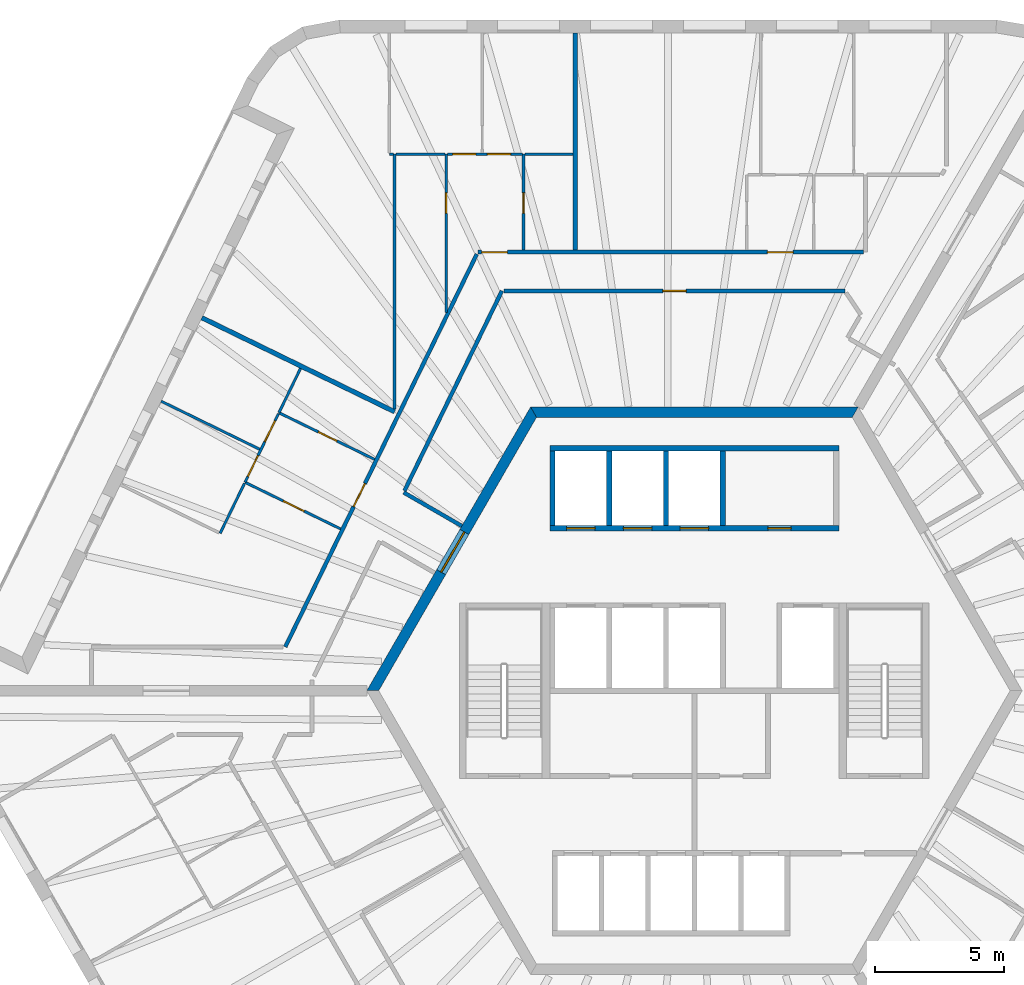
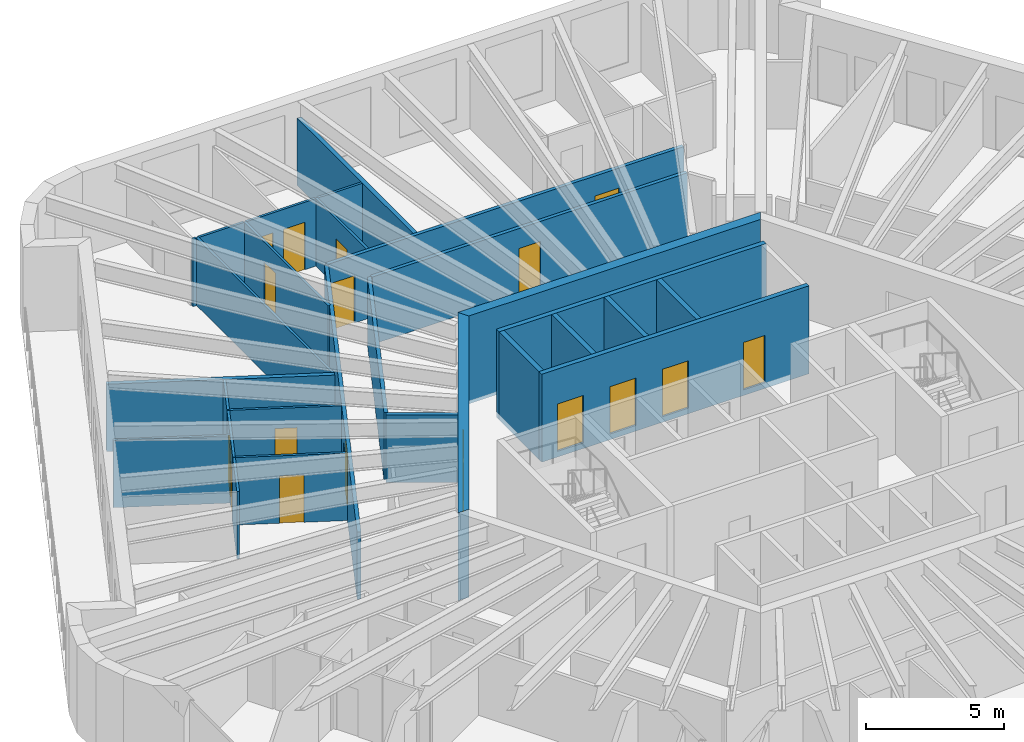
# One storey, part 8 of 12: 28 walls, 17 doors, 17 openings.
"""IFC4 building model written with IfcOpenShell, lengths in metres."""

from ifc_helpers import new_model, si_unit, direction, frame, frame_2d, origin, place, context, subcontext, project, spatial, polyline, rectangle, outline, extrude, material, layer, layer_set, type_object, element, fill, save


model = new_model("IFC4")

# Units and contexts
model_context = context("Model", 3, precision=1e-05, world=origin(), true_north=direction((0.0, 1.0)))
body_context = subcontext(model_context, "Body", "Model", "MODEL_VIEW")
ifc_project = project(units=[si_unit("LENGTHUNIT", "METRE"), si_unit("AREAUNIT", "SQUARE_METRE"), si_unit("VOLUMEUNIT", "CUBIC_METRE"), si_unit("PLANEANGLEUNIT", "RADIAN"), si_unit("MASSUNIT", "GRAM", prefix="KILO")], contexts=[model_context])

# Site, building, storey
site_placement = place(None, origin())
site = spatial("IfcSite", under=ifc_project, at=site_placement, CompositionType="ELEMENT")
building_placement = place(site_placement, origin())
building = spatial("IfcBuilding", under=site, at=building_placement, Name="Tarnside Tower", CompositionType="ELEMENT")
storey_placement = place(building_placement, frame((0.0, 0.0, 306.89990234375)))
storey = spatial("IfcBuildingStorey", under=building, at=storey_placement, Name="L74", CompositionType="ELEMENT", Elevation=306.89990234375)

# Wall
ifc_material_1 = material(Name="Gypsum board partition on steel studs", Category="steel")
ifc_layer_1 = layer(ifc_material_1, 0.10009765625)
ifc_layer_set_1 = layer_set([ifc_layer_1], Name="Bathroom wall 100")
wall_type_1 = type_object("IfcWallType", Name="Bathroom wall 100", PredefinedType="PARTITIONING", material=ifc_layer_set_1)
wall_1_placement = place(storey_placement, frame((-11.624755859375, 10.915283203125, 0.0), z_axis=(0.0, 0.0, 1.0), x_axis=(0.0, 1.0, 0.0)))
element("IfcWall", 1, at=wall_1_placement, inside=storey, type_object=wall_type_1, Name="Bathroom wall 24095", PredefinedType="PARTITIONING", context=body_context, shape_type="SweptSolid", body=[
    extrude(rectangle(XDim=9.884765625, YDim=0.10009765625, at=frame_2d((4.9423828125, 0.0))), origin(), (0.0, 0.0, 1.0), 2.98779296875),
])

# Wall, opening, door
wall_2_placement = place(storey_placement, frame((-6.624755859375, 17.074951171875, 0.0), z_axis=(0.0, 0.0, 1.0), x_axis=(0.0, 1.0, 0.0)))
wall_2 = element("IfcWall", 2, at=wall_2_placement, inside=storey, type_object=wall_type_1, Name="Bathroom wall 24098", PredefinedType="PARTITIONING", context=body_context, shape_type="SweptSolid", body=[
    extrude(rectangle(XDim=3.72509765625, YDim=0.10009765625, at=frame_2d((1.862548828125, 0.0))), origin(), (0.0, 0.0, 1.0), 2.98779296875),
])
opening_1_placement = place(wall_2_placement, frame((1.425048828125, 0.0, 0.0)))
opening_1 = element("IfcOpeningElement", 3, at=opening_1_placement, cuts=wall_2, Name="Opening D-B1", PredefinedType="OPENING", context=body_context, shape_type="SweptSolid", body=[
    extrude(rectangle(XDim=0.800048828125, YDim=2.10009765625, at=frame_2d((0.39990234375, 1.050048828125))), frame((0.0, 0.06005859375, 0.0), z_axis=(0.0, -1.0, 0.0), x_axis=(1.0, 0.0, 0.0)), (0.0, 0.0, 1.0), 0.1201171875),
])
ifc_material_2 = material(Name="Timber door leaf", Category="wood")
door_type_1 = type_object("IfcDoorType", Name="Bathroom door 800", OperationType="NOTDEFINED", PredefinedType="DOOR", material=ifc_material_2)
door_1_placement = place(opening_1_placement, origin())
door_1 = element("IfcDoor", 4, at=door_1_placement, inside=storey, type_object=door_type_1, Name="Bathroom door 24009", OperationType="SINGLE_SWING_RIGHT", OverallHeight=2.10009765625, OverallWidth=0.800048828125, PredefinedType="DOOR", context=body_context, shape_type="SweptSolid", body=[
    extrude(rectangle(XDim=0.800048828125, YDim=2.10009765625, at=frame_2d((0.39990234375, 1.050048828125))), frame((0.0, 0.02490234375, 0.0), z_axis=(0.0, -1.0, 0.0), x_axis=(1.0, 0.0, 0.0)), (0.0, 0.0, 1.0), 0.050048828125),
])
fill(opening_1, door_1)

wall_3_placement = place(storey_placement, frame((-9.624755859375, 20.800048828125, 0.0), z_axis=(0.0, 0.0, 1.0), x_axis=(0.0, -1.0, 0.0)))
wall_3 = element("IfcWall", 5, at=wall_3_placement, inside=storey, type_object=wall_type_1, Name="Bathroom wall 24101", PredefinedType="PARTITIONING", context=body_context, shape_type="SweptSolid", body=[
    extrude(rectangle(XDim=6.14501953125, YDim=0.10009765625, at=frame_2d((3.072509765625, 0.0))), origin(), (0.0, 0.0, 1.0), 2.98779296875),
])
opening_2_placement = place(wall_3_placement, frame((1.5, 0.0, 0.0)))
opening_2 = element("IfcOpeningElement", 6, at=opening_2_placement, cuts=wall_3, Name="Opening D-B1", PredefinedType="OPENING", context=body_context, shape_type="SweptSolid", body=[
    extrude(rectangle(XDim=0.800048828125, YDim=2.10009765625, at=frame_2d((0.39990234375, 1.050048828125))), frame((0.0, 0.06005859375, 0.0), z_axis=(0.0, -1.0, 0.0), x_axis=(1.0, 0.0, 0.0)), (0.0, 0.0, 1.0), 0.1201171875),
])
door_2_placement = place(opening_2_placement, origin())
door_2 = element("IfcDoor", 7, at=door_2_placement, inside=storey, type_object=door_type_1, Name="Bathroom door 24016", OperationType="SINGLE_SWING_RIGHT", OverallHeight=2.10009765625, OverallWidth=0.800048828125, PredefinedType="DOOR", context=body_context, shape_type="SweptSolid", body=[
    extrude(rectangle(XDim=0.800048828125, YDim=2.10009765625, at=frame_2d((0.39990234375, 1.050048828125))), frame((0.0, 0.02490234375, 0.0), z_axis=(0.0, -1.0, 0.0), x_axis=(1.0, 0.0, 0.0)), (0.0, 0.0, 1.0), 0.050048828125),
])
fill(opening_2, door_2)

# Walls
wall_4_placement = place(storey_placement, frame((-4.71484375, 20.800048828125, 0.0), z_axis=(0.0, 0.0, 1.0), x_axis=(-1.0, 0.0, 0.0)))
element("IfcWall", 8, at=wall_4_placement, inside=storey, type_object=wall_type_1, Name="Bathroom wall 24102", PredefinedType="PARTITIONING", context=body_context, shape_type="SweptSolid", body=[
    extrude(rectangle(XDim=1.862060546875, YDim=0.10009765625, at=frame_2d((0.93115234375, 0.0))), origin(), (0.0, 0.0, 1.0), 2.98779296875),
])
wall_5_placement = place(storey_placement, frame((-11.57470703125, 20.800048828125, 0.0), z_axis=(0.0, 0.0, 1.0), x_axis=(1.0, 0.0, 0.0)))
element("IfcWall", 9, at=wall_5_placement, inside=storey, type_object=wall_type_1, Name="Bathroom wall 24104", PredefinedType="PARTITIONING", context=body_context, shape_type="SweptSolid", body=[
    extrude(rectangle(XDim=1.89990234375, YDim=0.10009765625, at=frame_2d((0.949951171875, 0.0))), origin(), (0.0, 0.0, 1.0), 2.98779296875),
])

# Wall, opening, door
wall_6_placement = place(storey_placement, frame((-12.398681640625, 8.967529296875, 0.0), z_axis=(0.0, 0.0, 1.0), x_axis=(-0.898787215731, 0.438385151252, 0.0)))
wall_6 = element("IfcWall", 10, at=wall_6_placement, inside=storey, type_object=wall_type_1, Name="Bathroom wall 24108", PredefinedType="PARTITIONING", context=body_context, shape_type="SweptSolid", body=[
    extrude(rectangle(XDim=4.125, YDim=0.10009765625, at=frame_2d((2.0625, 0.0))), origin(), (0.0, 0.0, 1.0), 2.98779296875),
])
opening_3_placement = place(wall_6_placement, frame((1.625, 0.0, 0.0)))
opening_3 = element("IfcOpeningElement", 11, at=opening_3_placement, cuts=wall_6, Name="Opening D-B1", PredefinedType="OPENING", context=body_context, shape_type="SweptSolid", body=[
    extrude(rectangle(XDim=0.800048828125, YDim=2.10009765625, at=frame_2d((0.39990234375, 1.050048828125))), frame((0.0, 0.06005859375, 0.0), z_axis=(0.0, -1.0, 0.0), x_axis=(1.0, 0.0, 0.0)), (0.0, 0.0, 1.0), 0.1201171875),
])
door_3_placement = place(opening_3_placement, origin())
door_3 = element("IfcDoor", 12, at=door_3_placement, inside=storey, type_object=door_type_1, Name="Bathroom door 24018", OperationType="SINGLE_SWING_RIGHT", OverallHeight=2.10009765625, OverallWidth=0.800048828125, PredefinedType="DOOR", context=body_context, shape_type="SweptSolid", body=[
    extrude(rectangle(XDim=0.800048828125, YDim=2.10009765625, at=frame_2d((0.39990234375, 1.050048828125))), frame((0.0, 0.02490234375, 0.0), z_axis=(0.0, -1.0, 0.0), x_axis=(1.0, 0.0, 0.0)), (0.0, 0.0, 1.0), 0.050048828125),
])
fill(opening_3, door_3)

# Wall
wall_7_placement = place(storey_placement, frame((-15.26904296875, 12.492431640625, 0.0), z_axis=(0.0, 0.0, 1.0), x_axis=(-0.438355705964, -0.898801577128, 0.0)))
element("IfcWall", 13, at=wall_7_placement, inside=storey, type_object=wall_type_1, Name="Bathroom wall 24111", PredefinedType="PARTITIONING", context=body_context, shape_type="SweptSolid", body=[
    extrude(rectangle(XDim=1.912109375, YDim=0.10009765625, at=frame_2d((0.9560546875, 0.0))), origin(), (0.0, 0.0, 1.0), 2.98779296875),
])

# Wall, opening, door
ifc_material_3 = material(Name="Concrete C60/75", Category="concrete")
ifc_layer_2 = layer(ifc_material_3, 0.39990234375)
ifc_layer_set_2 = layer_set([ifc_layer_2], Name="Core wall Z3 400 C60/75")
wall_type_2 = type_object("IfcWallType", Name="Core wall Z3 400 C60/75", PredefinedType="SHEAR", material=ifc_layer_set_2)
wall_8_placement = place(storey_placement, frame((-6.2353515625, 10.800048828125, -0.14990234375), z_axis=(0.0, 0.0, 1.0), x_axis=(-0.499996419489, -0.866027470984, 0.0)))
wall_8 = element("IfcWall", 14, at=wall_8_placement, inside=storey, type_object=wall_type_2, Name="L74 core wall face 2", PredefinedType="SHEAR", context=body_context, shape_type="SweptSolid", body=[
    extrude(outline(polyline([(-0.115478515625, -0.199951171875), (12.586181640625, -0.199951171875), (12.355224609375, 0.199951171875), (0.115478515625, 0.199951171875), (-0.115478515625, -0.199951171875)])), origin(), (0.0, 0.0, 1.0), 3.89990234375),
])
opening_4_placement = place(wall_8_placement, frame((5.3642578125, 0.0, 0.14990234375)))
opening_4 = element("IfcOpeningElement", 15, at=opening_4_placement, cuts=wall_8, Name="Opening CD-LOB", PredefinedType="OPENING", context=body_context, shape_type="SweptSolid", body=[
    extrude(rectangle(XDim=1.800048828125, YDim=2.39990234375, at=frame_2d((0.89990234375, 1.199951171875))), frame((0.0, 0.2099609375, 0.0), z_axis=(0.0, -1.0, 0.0), x_axis=(1.0, 0.0, 0.0)), (0.0, 0.0, 1.0), 0.419921875),
])
ifc_material_4 = material(Name="Steel fire door", Category="steel")
door_type_2 = type_object("IfcDoorType", Name="Lobby double door FD30S 1800x2400", OperationType="NOTDEFINED", PredefinedType="DOOR", material=ifc_material_4)
door_4_placement = place(opening_4_placement, origin())
door_4 = element("IfcDoor", 16, at=door_4_placement, inside=storey, type_object=door_type_2, Name="L74 core door P1", OperationType="DOUBLE_DOOR_SINGLE_SWING", OverallHeight=2.39990234375, OverallWidth=1.800048828125, PredefinedType="DOOR", context=body_context, shape_type="SweptSolid", body=[
    extrude(rectangle(XDim=1.800048828125, YDim=2.39990234375, at=frame_2d((0.89990234375, 1.199951171875))), frame((0.0, 0.02490234375, 0.0), z_axis=(0.0, -1.0, 0.0), x_axis=(1.0, 0.0, 0.0)), (0.0, 0.0, 1.0), 0.050048828125),
])
fill(opening_4, door_4)

# Wall
wall_9_placement = place(storey_placement, frame((6.2353515625, 10.800048828125, -0.14990234375), z_axis=(0.0, 0.0, 1.0), x_axis=(-1.0, 0.0, 0.0)))
element("IfcWall", 17, at=wall_9_placement, inside=storey, type_object=wall_type_2, Name="L74 core wall face 1", PredefinedType="SHEAR", context=body_context, shape_type="SweptSolid", body=[
    extrude(outline(polyline([(-0.115478515625, -0.199951171875), (12.586181640625, -0.199951171875), (12.355224609375, 0.199951171875), (0.115478515625, 0.199951171875), (-0.115478515625, -0.199951171875)])), origin(), (0.0, 0.0, 1.0), 3.89990234375),
])

# Wall, openings, doors
ifc_layer_3 = layer(ifc_material_1, 0.14990234375)
ifc_layer_set_3 = layer_set([ifc_layer_3], Name="Corridor wall 150 EI 60")
wall_type_3 = type_object("IfcWallType", Name="Corridor wall 150 EI 60", PredefinedType="PARTITIONING", material=ifc_layer_set_3)
wall_10_placement = place(storey_placement, frame((6.551513671875, 17.0, 0.0), z_axis=(0.0, 0.0, 1.0), x_axis=(-1.0, 0.0, 0.0)))
wall_10 = element("IfcWall", 18, at=wall_10_placement, inside=storey, type_object=wall_type_3, Name="Corridor wall 24001", PredefinedType="PARTITIONING", context=body_context, shape_type="SweptSolid", body=[
    extrude(rectangle(XDim=14.948974609375, YDim=0.14990234375, at=frame_2d((7.474609375, 0.0))), origin(), (0.0, 0.0, 1.0), 2.98779296875),
])
opening_5_placement = place(wall_10_placement, frame((2.72509765625, 0.0, 0.0)))
opening_5 = element("IfcOpeningElement", 19, at=opening_5_placement, cuts=wall_10, Name="Opening D-E1", PredefinedType="OPENING", context=body_context, shape_type="SweptSolid", body=[
    extrude(rectangle(XDim=1.0, YDim=2.10009765625, at=frame_2d((0.5, 1.050048828125))), frame((0.0, 0.0849609375, 0.0), z_axis=(0.0, -1.0, 0.0), x_axis=(1.0, 0.0, 0.0)), (0.0, 0.0, 1.0), 0.169921875),
])
opening_6_placement = place(wall_10_placement, frame((13.79931640625, 0.0, 0.0)))
opening_6 = element("IfcOpeningElement", 20, at=opening_6_placement, cuts=wall_10, Name="Opening D-E1", PredefinedType="OPENING", context=body_context, shape_type="SweptSolid", body=[
    extrude(rectangle(XDim=1.0, YDim=2.10009765625, at=frame_2d((0.5, 1.050048828125))), frame((0.0, 0.0849609375, 0.0), z_axis=(0.0, -1.0, 0.0), x_axis=(1.0, 0.0, 0.0)), (0.0, 0.0, 1.0), 0.169921875),
])
door_type_3 = type_object("IfcDoorType", Name="Unit entrance door 1000 FD30S", OperationType="NOTDEFINED", PredefinedType="DOOR", material=ifc_material_2)
door_5_placement = place(opening_5_placement, origin())
door_5 = element("IfcDoor", 21, at=door_5_placement, inside=storey, type_object=door_type_3, Name="Unit door 24001", OperationType="SINGLE_SWING_RIGHT", OverallHeight=2.10009765625, OverallWidth=1.0, PredefinedType="DOOR", context=body_context, shape_type="SweptSolid", body=[
    extrude(rectangle(XDim=1.0, YDim=2.10009765625, at=frame_2d((0.5, 1.050048828125))), frame((0.0, 0.02490234375, 0.0), z_axis=(0.0, -1.0, 0.0), x_axis=(1.0, 0.0, 0.0)), (0.0, 0.0, 1.0), 0.050048828125),
])
fill(opening_5, door_5)
door_6_placement = place(opening_6_placement, origin())
door_6 = element("IfcDoor", 22, at=door_6_placement, inside=storey, type_object=door_type_3, Name="Unit door 24008", OperationType="SINGLE_SWING_LEFT", OverallHeight=2.10009765625, OverallWidth=1.0, PredefinedType="DOOR", context=body_context, shape_type="SweptSolid", body=[
    extrude(rectangle(XDim=1.0, YDim=2.10009765625, at=frame_2d((0.5, 1.050048828125))), frame((0.0, 0.02490234375, 0.0), z_axis=(0.0, -1.0, 0.0), x_axis=(1.0, 0.0, 0.0)), (0.0, 0.0, 1.0), 0.050048828125),
])
fill(opening_6, door_6)

# Wall, opening, door
wall_11_placement = place(storey_placement, frame((-8.43408203125, 16.925048828125, 0.0), z_axis=(0.0, 0.0, 1.0), x_axis=(-0.438371383278, -0.898793930956, 0.0)))
wall_11 = element("IfcWall", 23, at=wall_11_placement, inside=storey, type_object=wall_type_3, Name="Corridor wall 24009", PredefinedType="PARTITIONING", context=body_context, shape_type="SweptSolid", body=[
    extrude(rectangle(XDim=16.939453125, YDim=0.14990234375, at=frame_2d((8.4697265625, 0.0))), origin(), (0.0, 0.0, 1.0), 2.98779296875),
])
opening_7_placement = place(wall_11_placement, frame((9.89013671875, 0.0, 0.0)))
opening_7 = element("IfcOpeningElement", 24, at=opening_7_placement, cuts=wall_11, Name="Opening D-E1", PredefinedType="OPENING", context=body_context, shape_type="SweptSolid", body=[
    extrude(rectangle(XDim=1.0, YDim=2.10009765625, at=frame_2d((0.5, 1.050048828125))), frame((0.0, 0.0849609375, 0.0), z_axis=(0.0, -1.0, 0.0), x_axis=(1.0, 0.0, 0.0)), (0.0, 0.0, 1.0), 0.169921875),
])
door_7_placement = place(opening_7_placement, origin())
door_7 = element("IfcDoor", 25, at=door_7_placement, inside=storey, type_object=door_type_3, Name="Unit door 24017", OperationType="SINGLE_SWING_RIGHT", OverallHeight=2.10009765625, OverallWidth=1.0, PredefinedType="DOOR", context=body_context, shape_type="SweptSolid", body=[
    extrude(rectangle(XDim=1.0, YDim=2.10009765625, at=frame_2d((0.5, 1.050048828125))), frame((0.0, 0.02490234375, 0.0), z_axis=(0.0, -1.0, 0.0), x_axis=(1.0, 0.0, 0.0)), (0.0, 0.0, 1.0), 0.050048828125),
])
fill(opening_7, door_7)

# Walls
wall_12_placement = place(storey_placement, frame((-9.015625, 6.38427734375, 0.0), z_axis=(0.0, 0.0, 1.0), x_axis=(-0.866031051173, 0.499990218309, 0.0)))
element("IfcWall", 26, at=wall_12_placement, inside=storey, type_object=wall_type_3, Name="Corridor wall 24017", PredefinedType="PARTITIONING", context=body_context, shape_type="SweptSolid", body=[
    extrude(rectangle(XDim=2.6044921875, YDim=0.14990234375, at=frame_2d((1.30224609375, 0.0))), origin(), (0.0, 0.0, 1.0), 2.98779296875),
])
wall_13_placement = place(storey_placement, frame((-11.23828125, 7.754150390625, 0.0), z_axis=(0.0, 0.0, 1.0), x_axis=(0.438387352899, 0.89878614187, 0.0)))
element("IfcWall", 27, at=wall_13_placement, inside=storey, type_object=wall_type_3, Name="Corridor wall 24018", PredefinedType="PARTITIONING", context=body_context, shape_type="SweptSolid", body=[
    extrude(rectangle(XDim=8.6181640625, YDim=0.14990234375, at=frame_2d((4.30908203125, 0.0))), origin(), (0.0, 0.0, 1.0), 2.98779296875),
])

# Wall, opening, door
wall_14_placement = place(storey_placement, frame((-7.376708984375, 15.5, 0.0), z_axis=(0.0, 0.0, 1.0), x_axis=(1.0, 0.0, 0.0)))
wall_14 = element("IfcWall", 28, at=wall_14_placement, inside=storey, type_object=wall_type_3, Name="Corridor wall 24019", PredefinedType="PARTITIONING", context=body_context, shape_type="SweptSolid", body=[
    extrude(rectangle(XDim=13.205810546875, YDim=0.14990234375, at=frame_2d((6.60302734375, 0.0))), origin(), (0.0, 0.0, 1.0), 2.98779296875),
])
opening_8_placement = place(wall_14_placement, frame((6.15283203125, 0.0, 0.0)))
opening_8 = element("IfcOpeningElement", 29, at=opening_8_placement, cuts=wall_14, Name="Opening D-S1", PredefinedType="OPENING", context=body_context, shape_type="SweptSolid", body=[
    extrude(rectangle(XDim=0.89990234375, YDim=2.10009765625, at=frame_2d((0.449951171875, 1.050048828125))), frame((0.0, 0.0849609375, 0.0), z_axis=(0.0, -1.0, 0.0), x_axis=(1.0, 0.0, 0.0)), (0.0, 0.0, 1.0), 0.169921875),
])
door_type_4 = type_object("IfcDoorType", Name="Service room door 900 FD30S", OperationType="NOTDEFINED", PredefinedType="DOOR", material=ifc_material_2)
door_8_placement = place(opening_8_placement, origin())
door_8 = element("IfcDoor", 30, at=door_8_placement, inside=storey, type_object=door_type_4, Name="Service door 24063", OperationType="SINGLE_SWING_LEFT", OverallHeight=2.10009765625, OverallWidth=0.89990234375, PredefinedType="DOOR", context=body_context, shape_type="SweptSolid", body=[
    extrude(rectangle(XDim=0.89990234375, YDim=2.10009765625, at=frame_2d((0.449951171875, 1.050048828125))), frame((0.0, 0.02490234375, 0.0), z_axis=(0.0, -1.0, 0.0), x_axis=(1.0, 0.0, 0.0)), (0.0, 0.0, 1.0), 0.050048828125),
])
fill(opening_8, door_8)

# Walls
ifc_layer_4 = layer(ifc_material_1, 0.179931640625)
ifc_layer_set_4 = layer_set([ifc_layer_4], Name="Demising wall 180 EI 60")
wall_type_4 = type_object("IfcWallType", Name="Demising wall 180 EI 60", PredefinedType="PARTITIONING", material=ifc_layer_set_4)
wall_15_placement = place(storey_placement, frame((-4.624755859375, 25.5, 0.0), z_axis=(0.0, 0.0, 1.0), x_axis=(0.0, -1.0, 0.0)))
element("IfcWall", 31, at=wall_15_placement, inside=storey, type_object=wall_type_4, Name="Demising wall 24086", PredefinedType="PARTITIONING", context=body_context, shape_type="SweptSolid", body=[
    extrude(rectangle(XDim=8.425048828125, YDim=0.179931640625, at=frame_2d((4.21240234375, 0.0))), origin(), (0.0, 0.0, 1.0), 2.98779296875),
])
wall_16_placement = place(storey_placement, frame((-19.09423828125, 14.45849609375, 0.0), z_axis=(0.0, 0.0, 1.0), x_axis=(0.898789332666, -0.438380811038, 0.0)))
element("IfcWall", 32, at=wall_16_placement, inside=storey, type_object=wall_type_4, Name="Demising wall 24096", PredefinedType="PARTITIONING", context=body_context, shape_type="SweptSolid", body=[
    extrude(rectangle(XDim=8.3125, YDim=0.179931640625, at=frame_2d((4.15625, 0.0))), origin(), (0.0, 0.0, 1.0), 2.98779296875),
])

# Wall, openings, doors
ifc_material_5 = material(Name="Concrete C40/50", Category="concrete")
ifc_layer_5 = layer(ifc_material_5, 0.199951171875)
ifc_layer_set_5 = layer_set([ifc_layer_5], Name="Lift shaft wall 200 C40/50")
wall_type_5 = type_object("IfcWallType", Name="Lift shaft wall 200 C40/50", PredefinedType="SHEAR", material=ifc_layer_set_5)
wall_17_placement = place(storey_placement, frame((-5.60009765625, 6.300048828125, -0.25), z_axis=(0.0, 0.0, 1.0), x_axis=(1.0, 0.0, 0.0)))
wall_17 = element("IfcWall", 33, at=wall_17_placement, inside=storey, type_object=wall_type_5, Name="L74 lift shaft front wall R1", PredefinedType="SHEAR", context=body_context, shape_type="SweptSolid", body=[
    extrude(rectangle(XDim=11.2001953125, YDim=0.199951171875, at=frame_2d((5.60009765625, 0.0))), origin(), (0.0, 0.0, 1.0), 3.900146484375),
])
opening_9_placement = place(wall_17_placement, frame((8.449951171875, 0.0, 0.25)))
opening_9 = element("IfcOpeningElement", 34, at=opening_9_placement, cuts=wall_17, Name="Opening CD-room", PredefinedType="OPENING", context=body_context, shape_type="SweptSolid", body=[
    extrude(rectangle(XDim=0.89990234375, YDim=2.10009765625, at=frame_2d((0.449951171875, 1.050048828125))), frame((0.0, 0.10986328125, 0.0), z_axis=(0.0, -1.0, 0.0), x_axis=(1.0, 0.0, 0.0)), (0.0, 0.0, 1.0), 0.219970703125),
])
opening_10_placement = place(wall_17_placement, frame((0.64990234375, 0.0, 0.25)))
opening_10 = element("IfcOpeningElement", 35, at=opening_10_placement, cuts=wall_17, Name="Opening LD", PredefinedType="OPENING", context=body_context, shape_type="SweptSolid", body=[
    extrude(rectangle(XDim=1.10009765625, YDim=2.10009765625, at=frame_2d((0.550048828125, 1.050048828125))), frame((0.0, 0.10986328125, 0.0), z_axis=(0.0, -1.0, 0.0), x_axis=(1.0, 0.0, 0.0)), (0.0, 0.0, 1.0), 0.219970703125),
])
opening_11_placement = place(wall_17_placement, frame((2.85009765625, 0.0, 0.25)))
opening_11 = element("IfcOpeningElement", 36, at=opening_11_placement, cuts=wall_17, Name="Opening LD", PredefinedType="OPENING", context=body_context, shape_type="SweptSolid", body=[
    extrude(rectangle(XDim=1.10009765625, YDim=2.10009765625, at=frame_2d((0.550048828125, 1.050048828125))), frame((0.0, 0.10986328125, 0.0), z_axis=(0.0, -1.0, 0.0), x_axis=(1.0, 0.0, 0.0)), (0.0, 0.0, 1.0), 0.219970703125),
])
opening_12_placement = place(wall_17_placement, frame((5.050048828125, 0.0, 0.25)))
opening_12 = element("IfcOpeningElement", 37, at=opening_12_placement, cuts=wall_17, Name="Opening LD", PredefinedType="OPENING", context=body_context, shape_type="SweptSolid", body=[
    extrude(rectangle(XDim=1.10009765625, YDim=2.10009765625, at=frame_2d((0.550048828125, 1.050048828125))), frame((0.0, 0.10986328125, 0.0), z_axis=(0.0, -1.0, 0.0), x_axis=(1.0, 0.0, 0.0)), (0.0, 0.0, 1.0), 0.219970703125),
])
ifc_material_6 = material(Name="Stainless steel", Category="steel")
door_type_5 = type_object("IfcDoorType", Name="Lift landing door 1100x2100", OperationType="NOTDEFINED", PredefinedType="DOOR", material=ifc_material_6)
door_9_placement = place(opening_10_placement, origin())
door_9 = element("IfcDoor", 38, at=door_9_placement, inside=storey, type_object=door_type_5, Name="High-rise lift 1 landing door L74", OperationType="SLIDING_TO_LEFT", OverallHeight=2.10009765625, OverallWidth=1.10009765625, PredefinedType="DOOR", context=body_context, shape_type="SweptSolid", body=[
    extrude(rectangle(XDim=1.10009765625, YDim=2.10009765625, at=frame_2d((0.550048828125, 1.050048828125))), frame((0.0, 0.02490234375, 0.0), z_axis=(0.0, -1.0, 0.0), x_axis=(1.0, 0.0, 0.0)), (0.0, 0.0, 1.0), 0.050048828125),
])
fill(opening_10, door_9)
door_10_placement = place(opening_11_placement, origin())
door_10 = element("IfcDoor", 39, at=door_10_placement, inside=storey, type_object=door_type_5, Name="High-rise lift 2 landing door L74", OperationType="SLIDING_TO_LEFT", OverallHeight=2.10009765625, OverallWidth=1.10009765625, PredefinedType="DOOR", context=body_context, shape_type="SweptSolid", body=[
    extrude(rectangle(XDim=1.10009765625, YDim=2.10009765625, at=frame_2d((0.550048828125, 1.050048828125))), frame((0.0, 0.02490234375, 0.0), z_axis=(0.0, -1.0, 0.0), x_axis=(1.0, 0.0, 0.0)), (0.0, 0.0, 1.0), 0.050048828125),
])
fill(opening_11, door_10)
door_11_placement = place(opening_12_placement, origin())
door_11 = element("IfcDoor", 40, at=door_11_placement, inside=storey, type_object=door_type_5, Name="High-rise lift 3 landing door L74", OperationType="SLIDING_TO_LEFT", OverallHeight=2.10009765625, OverallWidth=1.10009765625, PredefinedType="DOOR", context=body_context, shape_type="SweptSolid", body=[
    extrude(rectangle(XDim=1.10009765625, YDim=2.10009765625, at=frame_2d((0.550048828125, 1.050048828125))), frame((0.0, 0.02490234375, 0.0), z_axis=(0.0, -1.0, 0.0), x_axis=(1.0, 0.0, 0.0)), (0.0, 0.0, 1.0), 0.050048828125),
])
fill(opening_12, door_11)
door_type_6 = type_object("IfcDoorType", Name="Room door FD60 900x2100", OperationType="NOTDEFINED", PredefinedType="DOOR", material=ifc_material_4)
door_12_placement = place(opening_9_placement, origin())
door_12 = element("IfcDoor", 41, at=door_12_placement, inside=storey, type_object=door_type_6, Name="L74 core room door FC1", OperationType="SINGLE_SWING_LEFT", OverallHeight=2.10009765625, OverallWidth=0.89990234375, PredefinedType="DOOR", context=body_context, shape_type="SweptSolid", body=[
    extrude(rectangle(XDim=0.89990234375, YDim=2.10009765625, at=frame_2d((0.449951171875, 1.050048828125))), frame((0.0, 0.02490234375, 0.0), z_axis=(0.0, -1.0, 0.0), x_axis=(1.0, 0.0, 0.0)), (0.0, 0.0, 1.0), 0.050048828125),
])
fill(opening_9, door_12)

# Walls
wall_18_placement = place(storey_placement, frame((-5.60009765625, 9.39990234375, -0.25), z_axis=(0.0, 0.0, 1.0), x_axis=(1.0, 0.0, 0.0)))
element("IfcWall", 42, at=wall_18_placement, inside=storey, type_object=wall_type_5, Name="L74 lift shaft back wall R1", PredefinedType="SHEAR", context=body_context, shape_type="SweptSolid", body=[
    extrude(rectangle(XDim=11.2001953125, YDim=0.199951171875, at=frame_2d((5.60009765625, 0.0))), origin(), (0.0, 0.0, 1.0), 3.900146484375),
])
for number, where, z_axis, x_axis, name in (
    (43, (-5.5, 6.39990234375, -0.25), (0.0, 0.0, 1.0), (0.0, 1.0, 0.0), "L74 lift shaft partition R11"),
    (44, (-3.300048828125, 6.39990234375, -0.25), (0.0, 0.0, 1.0), (0.0, 1.0, 0.0), "L74 lift shaft partition R12"),
    (45, (-1.10009765625, 6.39990234375, -0.25), (0.0, 0.0, 1.0), (0.0, 1.0, 0.0), "L74 lift shaft partition R13"),
    (46, (1.10009765625, 6.39990234375, -0.25), (0.0, 0.0, 1.0), (0.0, 1.0, 0.0), "L74 lift shaft partition R14"),
):
    element("IfcWall", number, at=place(storey_placement, frame(where, z_axis=z_axis, x_axis=x_axis)), inside=storey, type_object=wall_type_5, Name=name, PredefinedType="SHEAR", context=body_context, shape_type="SweptSolid", body=[
        extrude(rectangle(XDim=2.900146484375, YDim=0.199951171875, at=frame_2d((1.4501953125, 0.0))), origin(), (0.0, 0.0, 1.0), 3.900146484375),
    ])
ifc_layer_6 = layer(ifc_material_1, 0.10009765625)
ifc_layer_set_6 = layer_set([ifc_layer_6], Name="Partition 100")
wall_type_6 = type_object("IfcWallType", Name="Partition 100", PredefinedType="PARTITIONING", material=ifc_layer_set_6)
wall_19_placement = place(storey_placement, frame((-11.6728515625, 20.800048828125, 0.0), z_axis=(0.0, 0.0, 1.0), x_axis=(-1.0, 0.0, 0.0)))
element("IfcWall", 47, at=wall_19_placement, inside=storey, type_object=wall_type_6, Name="Partition wall 24093", PredefinedType="PARTITIONING", context=body_context, shape_type="SweptSolid", body=[
    extrude(rectangle(XDim=0.15185546875, YDim=0.10009765625, at=frame_2d((0.075927734375, 0.0))), origin(), (0.0, 0.0, 1.0), 2.98779296875),
])

# Wall, openings, doors
wall_20_placement = place(storey_placement, frame((-6.6728515625, 20.800048828125, 0.0), z_axis=(0.0, 0.0, 1.0), x_axis=(-1.0, 0.0, 0.0)))
wall_20 = element("IfcWall", 48, at=wall_20_placement, inside=storey, type_object=wall_type_6, Name="Partition wall 24099", PredefinedType="PARTITIONING", context=body_context, shape_type="SweptSolid", body=[
    extrude(rectangle(XDim=2.904052734375, YDim=0.10009765625, at=frame_2d((1.4521484375, 0.0))), origin(), (0.0, 0.0, 1.0), 2.98779296875),
])
opening_13_placement = place(wall_20_placement, frame((0.451904296875, 0.0, 0.0)))
opening_13 = element("IfcOpeningElement", 49, at=opening_13_placement, cuts=wall_20, Name="Opening D-I1", PredefinedType="OPENING", context=body_context, shape_type="SweptSolid", body=[
    extrude(rectangle(XDim=0.89990234375, YDim=2.10009765625, at=frame_2d((0.449951171875, 1.050048828125))), frame((0.0, 0.06005859375, 0.0), z_axis=(0.0, -1.0, 0.0), x_axis=(1.0, 0.0, 0.0)), (0.0, 0.0, 1.0), 0.1201171875),
])
opening_14_placement = place(wall_20_placement, frame((1.802001953125, 0.0, 0.0)))
opening_14 = element("IfcOpeningElement", 50, at=opening_14_placement, cuts=wall_20, Name="Opening D-I1", PredefinedType="OPENING", context=body_context, shape_type="SweptSolid", body=[
    extrude(rectangle(XDim=0.89990234375, YDim=2.10009765625, at=frame_2d((0.449951171875, 1.050048828125))), frame((0.0, 0.06005859375, 0.0), z_axis=(0.0, -1.0, 0.0), x_axis=(1.0, 0.0, 0.0)), (0.0, 0.0, 1.0), 0.1201171875),
])
door_type_7 = type_object("IfcDoorType", Name="Internal door 900", OperationType="NOTDEFINED", PredefinedType="DOOR", material=ifc_material_2)
door_13_placement = place(opening_13_placement, origin())
door_13 = element("IfcDoor", 51, at=door_13_placement, inside=storey, type_object=door_type_7, Name="Internal door 24011", OperationType="SINGLE_SWING_LEFT", OverallHeight=2.10009765625, OverallWidth=0.89990234375, PredefinedType="DOOR", context=body_context, shape_type="SweptSolid", body=[
    extrude(rectangle(XDim=0.89990234375, YDim=2.10009765625, at=frame_2d((0.449951171875, 1.050048828125))), frame((0.0, 0.02490234375, 0.0), z_axis=(0.0, -1.0, 0.0), x_axis=(1.0, 0.0, 0.0)), (0.0, 0.0, 1.0), 0.050048828125),
])
fill(opening_13, door_13)
door_14_placement = place(opening_14_placement, origin())
door_14 = element("IfcDoor", 52, at=door_14_placement, inside=storey, type_object=door_type_7, Name="Internal door 24015", OperationType="SINGLE_SWING_LEFT", OverallHeight=2.10009765625, OverallWidth=0.89990234375, PredefinedType="DOOR", context=body_context, shape_type="SweptSolid", body=[
    extrude(rectangle(XDim=0.89990234375, YDim=2.10009765625, at=frame_2d((0.449951171875, 1.050048828125))), frame((0.0, 0.02490234375, 0.0), z_axis=(0.0, -1.0, 0.0), x_axis=(1.0, 0.0, 0.0)), (0.0, 0.0, 1.0), 0.050048828125),
])
fill(opening_14, door_14)

# Wall, opening, door
wall_21_placement = place(storey_placement, frame((-13.7138671875, 6.271240234375, 0.0), z_axis=(0.0, 0.0, 1.0), x_axis=(-0.898810534939, 0.438337338454, 0.0)))
wall_21 = element("IfcWall", 53, at=wall_21_placement, inside=storey, type_object=wall_type_6, Name="Partition wall 24105", PredefinedType="PARTITIONING", context=body_context, shape_type="SweptSolid", body=[
    extrude(rectangle(XDim=4.125, YDim=0.10009765625, at=frame_2d((2.0625, 0.0))), origin(), (0.0, 0.0, 1.0), 2.98779296875),
])
opening_15_placement = place(wall_21_placement, frame((1.574951171875, 0.0, 0.0)))
opening_15 = element("IfcOpeningElement", 54, at=opening_15_placement, cuts=wall_21, Name="Opening D-I1", PredefinedType="OPENING", context=body_context, shape_type="SweptSolid", body=[
    extrude(rectangle(XDim=0.89990234375, YDim=2.10009765625, at=frame_2d((0.449951171875, 1.050048828125))), frame((0.0, 0.06005859375, 0.0), z_axis=(0.0, -1.0, 0.0), x_axis=(1.0, 0.0, 0.0)), (0.0, 0.0, 1.0), 0.1201171875),
])
door_15_placement = place(opening_15_placement, origin())
door_15 = element("IfcDoor", 55, at=door_15_placement, inside=storey, type_object=door_type_7, Name="Internal door 24019", OperationType="SINGLE_SWING_RIGHT", OverallHeight=2.10009765625, OverallWidth=0.89990234375, PredefinedType="DOOR", context=body_context, shape_type="SweptSolid", body=[
    extrude(rectangle(XDim=0.89990234375, YDim=2.10009765625, at=frame_2d((0.449951171875, 1.050048828125))), frame((0.0, 0.02490234375, 0.0), z_axis=(0.0, -1.0, 0.0), x_axis=(1.0, 0.0, 0.0)), (0.0, 0.0, 1.0), 0.050048828125),
])
fill(opening_15, door_15)

# Wall
wall_22_placement = place(storey_placement, frame((-17.4423828125, 8.036376953125, 0.0), z_axis=(0.0, 0.0, 1.0), x_axis=(-0.438343168157, -0.898807691851, 0.0)))
element("IfcWall", 56, at=wall_22_placement, inside=storey, type_object=wall_type_6, Name="Partition wall 24106", PredefinedType="PARTITIONING", context=body_context, shape_type="SweptSolid", body=[
    extrude(rectangle(XDim=2.152099609375, YDim=0.10009765625, at=frame_2d((1.076171875, 0.0))), origin(), (0.0, 0.0, 1.0), 2.98779296875),
])

# Wall, openings, doors
wall_23_placement = place(storey_placement, frame((-16.127197265625, 10.732666015625, 0.0), z_axis=(0.0, 0.0, 1.0), x_axis=(-0.438365010977, -0.898797038909, 0.0)))
wall_23 = element("IfcWall", 57, at=wall_23_placement, inside=storey, type_object=wall_type_6, Name="Partition wall 24109", PredefinedType="PARTITIONING", context=body_context, shape_type="SweptSolid", body=[
    extrude(rectangle(XDim=2.9541015625, YDim=0.10009765625, at=frame_2d((1.47705078125, 0.0))), origin(), (0.0, 0.0, 1.0), 2.98779296875),
])
opening_16_placement = place(wall_23_placement, frame((0.302001953125, 0.0, 0.0)))
opening_16 = element("IfcOpeningElement", 58, at=opening_16_placement, cuts=wall_23, Name="Opening D-I1", PredefinedType="OPENING", context=body_context, shape_type="SweptSolid", body=[
    extrude(rectangle(XDim=0.89990234375, YDim=2.10009765625, at=frame_2d((0.449951171875, 1.050048828125))), frame((0.0, 0.06005859375, 0.0), z_axis=(0.0, -1.0, 0.0), x_axis=(1.0, 0.0, 0.0)), (0.0, 0.0, 1.0), 0.1201171875),
])
opening_17_placement = place(wall_23_placement, frame((1.802001953125, 0.0, 0.0)))
opening_17 = element("IfcOpeningElement", 59, at=opening_17_placement, cuts=wall_23, Name="Opening D-I1", PredefinedType="OPENING", context=body_context, shape_type="SweptSolid", body=[
    extrude(rectangle(XDim=0.89990234375, YDim=2.10009765625, at=frame_2d((0.449951171875, 1.050048828125))), frame((0.0, 0.06005859375, 0.0), z_axis=(0.0, -1.0, 0.0), x_axis=(1.0, 0.0, 0.0)), (0.0, 0.0, 1.0), 0.1201171875),
])
door_16_placement = place(opening_16_placement, origin())
door_16 = element("IfcDoor", 60, at=door_16_placement, inside=storey, type_object=door_type_7, Name="Internal door 24020", OperationType="SINGLE_SWING_RIGHT", OverallHeight=2.10009765625, OverallWidth=0.89990234375, PredefinedType="DOOR", context=body_context, shape_type="SweptSolid", body=[
    extrude(rectangle(XDim=0.89990234375, YDim=2.10009765625, at=frame_2d((0.449951171875, 1.050048828125))), frame((0.0, 0.02490234375, 0.0), z_axis=(0.0, -1.0, 0.0), x_axis=(1.0, 0.0, 0.0)), (0.0, 0.0, 1.0), 0.050048828125),
])
fill(opening_16, door_16)
door_17_placement = place(opening_17_placement, origin())
door_17 = element("IfcDoor", 61, at=door_17_placement, inside=storey, type_object=door_type_7, Name="Internal door 24021", OperationType="SINGLE_SWING_LEFT", OverallHeight=2.10009765625, OverallWidth=0.89990234375, PredefinedType="DOOR", context=body_context, shape_type="SweptSolid", body=[
    extrude(rectangle(XDim=0.89990234375, YDim=2.10009765625, at=frame_2d((0.449951171875, 1.050048828125))), frame((0.0, 0.02490234375, 0.0), z_axis=(0.0, -1.0, 0.0), x_axis=(1.0, 0.0, 0.0)), (0.0, 0.0, 1.0), 0.050048828125),
])
fill(opening_17, door_17)

# Wall
wall_24_placement = place(storey_placement, frame((-20.67236328125, 11.22265625, 0.0), z_axis=(0.0, 0.0, 1.0), x_axis=(0.898795496691, -0.438368173032, 0.0)))
element("IfcWall", 62, at=wall_24_placement, inside=storey, type_object=wall_type_6, Name="Partition wall 24112", PredefinedType="PARTITIONING", context=body_context, shape_type="SweptSolid", body=[
    extrude(rectangle(XDim=4.25, YDim=0.10009765625, at=frame_2d((2.125, 0.0))), origin(), (0.0, 0.0, 1.0), 2.98779296875),
])

save(model, "model.ifc")
